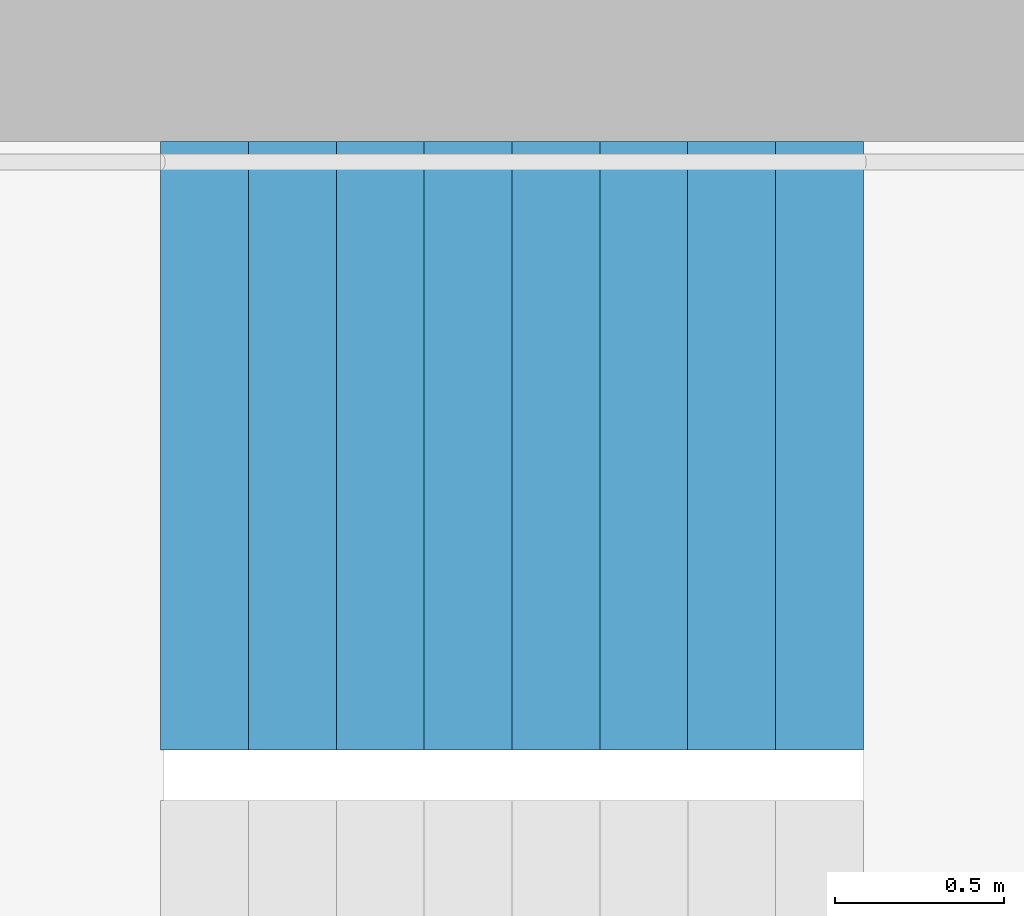
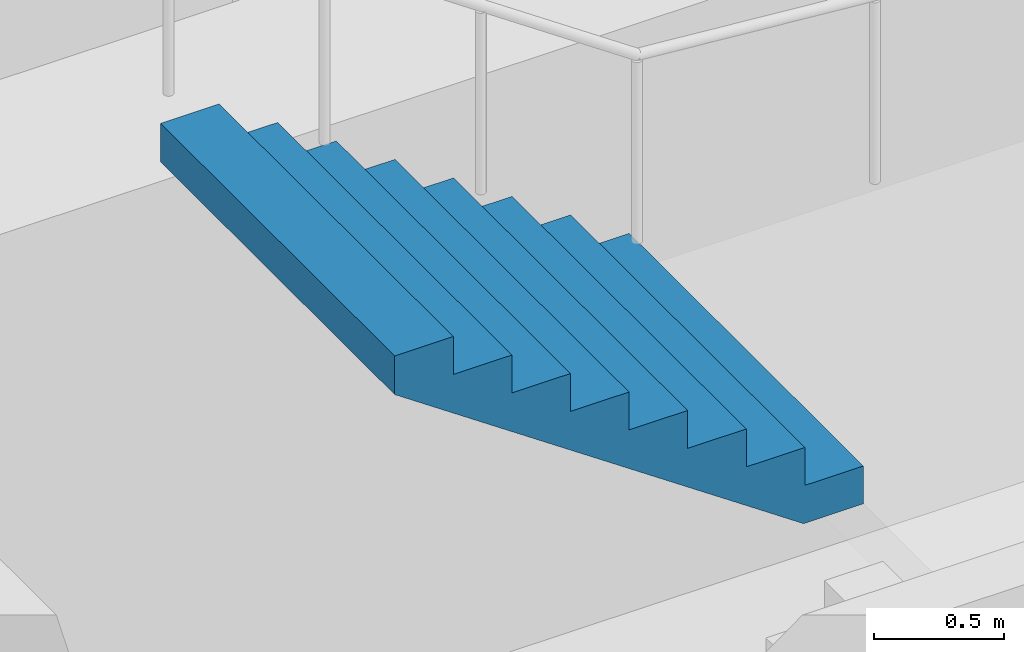
# One storey, part 21 of 26: 1 stair flight, 1 element without a shape of its own.
"""IFC4 building model written with IfcOpenShell, lengths in metres."""

from ifc_helpers import new_model, si_unit, direction, frame, origin, place, context, subcontext, project, spatial, triangles, material, type_object, element, aggregate, save


model = new_model("IFC4")

# Units and contexts
model_context = context("Model", 3, precision=1e-05, world=origin(), true_north=direction((0.0, 1.0)))
body_context = subcontext(model_context, "Body", "Model", "MODEL_VIEW")
ifc_project = project(units=[si_unit("LENGTHUNIT", "METRE"), si_unit("AREAUNIT", "SQUARE_METRE"), si_unit("VOLUMEUNIT", "CUBIC_METRE"), si_unit("PLANEANGLEUNIT", "RADIAN"), si_unit("MASSUNIT", "GRAM", prefix="KILO")], contexts=[model_context])

# Site, building, storey
site_placement = place(None, origin())
site = spatial("IfcSite", under=ifc_project, at=site_placement, CompositionType="ELEMENT")
building_placement = place(site_placement, origin())
building = spatial("IfcBuilding", under=site, at=building_placement, Name="Hakoniwa Tower and Hamabe Station Hall", CompositionType="ELEMENT")
storey_placement = place(building_placement, frame((0.0, 0.0, 169.39990234375)))
storey = spatial("IfcBuildingStorey", under=building, at=storey_placement, Name="L48", CompositionType="ELEMENT", Elevation=169.39990234375)

# Stair, stair flight
ifc_material_1 = material(Name="Concrete C40", Category="concrete")
stair_type = type_object("IfcStairType", Name="ESCAPE STAIR 1800", PredefinedType="HALF_TURN_STAIR", material=ifc_material_1)
stair_placement = place(storey_placement, origin())
stair = element("IfcStair", 1, at=stair_placement, inside=storey, type_object=stair_type, Name="Escape stair ST-1 L48", PredefinedType="HALF_TURN_STAIR")
ifc_material_2 = material(Name="Concrete C40", Category="concrete")
stair_flight_type = type_object("IfcStairFlightType", Name="STAIR FLIGHT 1800", PredefinedType="STRAIGHT", material=ifc_material_2)
stair_flight_placement = place(storey_placement, frame((-22.320068359375, 6.60009765625, 1.60009765625), z_axis=(0.0, 0.0, 1.0), x_axis=(-1.0, 0.0, 0.0)))
stair_flight = element("IfcStairFlight", 2, at=stair_flight_placement, type_object=stair_flight_type, Name="ST-1 flight 2", NumberOfRisers=9, NumberOfTreads=8, PredefinedType="STRAIGHT", RiserHeight=0.177777778, TreadLength=0.26, context=body_context, shape_type="Tessellation", body=[
    triangles([(0.0, 0.89990234375, 0.0), (0.260009765625, 0.89990234375, 0.0), (0.265625, 0.89990234375, 0.0), (0.52001953125, 0.89990234375, 0.174072265625), (0.780029296875, 0.89990234375, 0.351806640625), (1.0400390625, 0.89990234375, 0.529541015625), (1.300048828125, 0.89990234375, 0.707275390625), (1.56005859375, 0.89990234375, 0.885009765625), (1.820068359375, 0.89990234375, 1.062744140625), (2.080078125, 0.89990234375, 1.24072265625), (2.080078125, 0.89990234375, 1.422119140625), (1.820068359375, 0.89990234375, 1.422119140625), (1.820068359375, 0.89990234375, 1.244384765625), (1.56005859375, 0.89990234375, 1.244384765625), (1.56005859375, 0.89990234375, 1.066650390625), (1.300048828125, 0.89990234375, 1.066650390625), (1.300048828125, 0.89990234375, 0.888916015625), (1.0400390625, 0.89990234375, 0.888916015625), (1.0400390625, 0.89990234375, 0.711181640625), (0.780029296875, 0.89990234375, 0.711181640625), (0.780029296875, 0.89990234375, 0.533447265625), (0.52001953125, 0.89990234375, 0.533447265625), (0.52001953125, 0.89990234375, 0.35546875), (0.265625, 0.89990234375, 0.35546875), (0.260009765625, 0.89990234375, 0.35546875), (0.260009765625, 0.89990234375, 0.177734375), (0.0, 0.89990234375, 0.177734375), (0.0, 0.06005859375, 0.0), (0.260009765625, 0.06005859375, 0.0), (0.265625, 0.06005859375, 0.0), (0.52001953125, 0.06005859375, 0.174072265625), (0.780029296875, 0.06005859375, 0.351806640625), (1.0400390625, 0.06005859375, 0.529541015625), (1.300048828125, 0.06005859375, 0.707275390625), (1.56005859375, 0.06005859375, 0.885009765625), (1.820068359375, 0.06005859375, 1.062744140625), (2.080078125, 0.06005859375, 1.24072265625), (2.080078125, 0.06005859375, 1.422119140625), (1.820068359375, 0.06005859375, 1.422119140625), (1.820068359375, 0.06005859375, 1.244384765625), (1.56005859375, 0.06005859375, 1.244384765625), (1.56005859375, 0.06005859375, 1.066650390625), (1.300048828125, 0.06005859375, 1.066650390625), (1.300048828125, 0.06005859375, 0.888916015625), (1.0400390625, 0.06005859375, 0.888916015625), (1.0400390625, 0.06005859375, 0.711181640625), (0.780029296875, 0.06005859375, 0.711181640625), (0.780029296875, 0.06005859375, 0.533447265625), (0.52001953125, 0.06005859375, 0.533447265625), (0.52001953125, 0.06005859375, 0.35546875), (0.265625, 0.06005859375, 0.35546875), (0.260009765625, 0.06005859375, 0.35546875), (0.260009765625, 0.06005859375, 0.177734375), (0.0, 0.06005859375, 0.177734375), (0.0, 0.04296875, 0.0), (0.260009765625, 0.04296875, 0.0), (0.265625, 0.04296875, 0.0), (0.52001953125, 0.04296875, 0.174072265625), (0.780029296875, 0.04296875, 0.351806640625), (1.0400390625, 0.04296875, 0.529541015625), (1.300048828125, 0.04296875, 0.707275390625), (1.56005859375, 0.04296875, 0.885009765625), (1.820068359375, 0.04296875, 1.062744140625), (2.080078125, 0.04296875, 1.24072265625), (2.080078125, 0.04296875, 1.422119140625), (1.820068359375, 0.04296875, 1.422119140625), (1.820068359375, 0.04296875, 1.244384765625), (1.56005859375, 0.04296875, 1.244384765625), (1.56005859375, 0.04296875, 1.066650390625), (1.300048828125, 0.04296875, 1.066650390625), (1.300048828125, 0.04296875, 0.888916015625), (1.0400390625, 0.04296875, 0.888916015625), (1.0400390625, 0.04296875, 0.711181640625), (0.780029296875, 0.04296875, 0.711181640625), (0.780029296875, 0.04296875, 0.533447265625), (0.52001953125, 0.04296875, 0.533447265625), (0.52001953125, 0.04296875, 0.35546875), (0.265625, 0.04296875, 0.35546875), (0.260009765625, 0.04296875, 0.35546875), (0.260009765625, 0.04296875, 0.177734375), (0.0, 0.04296875, 0.177734375), (0.0, 0.025634765625, 0.0), (0.260009765625, 0.025634765625, 0.0), (0.265625, 0.025634765625, 0.0), (0.52001953125, 0.025634765625, 0.174072265625), (0.780029296875, 0.025634765625, 0.351806640625), (1.0400390625, 0.025634765625, 0.529541015625), (1.300048828125, 0.025634765625, 0.707275390625), (1.56005859375, 0.025634765625, 0.885009765625), (1.820068359375, 0.025634765625, 1.062744140625), (2.080078125, 0.025634765625, 1.24072265625), (2.080078125, 0.025634765625, 1.422119140625), (1.820068359375, 0.025634765625, 1.422119140625), (1.820068359375, 0.025634765625, 1.244384765625), (1.56005859375, 0.025634765625, 1.244384765625), (1.56005859375, 0.025634765625, 1.066650390625), (1.300048828125, 0.025634765625, 1.066650390625), (1.300048828125, 0.025634765625, 0.888916015625), (1.0400390625, 0.025634765625, 0.888916015625), (1.0400390625, 0.025634765625, 0.711181640625), (0.780029296875, 0.025634765625, 0.711181640625), (0.780029296875, 0.025634765625, 0.533447265625), (0.52001953125, 0.025634765625, 0.533447265625), (0.52001953125, 0.025634765625, 0.35546875), (0.265625, 0.025634765625, 0.35546875), (0.260009765625, 0.025634765625, 0.35546875), (0.260009765625, 0.025634765625, 0.177734375), (0.0, 0.025634765625, 0.177734375), (0.0, 0.008544921875, 0.0), (0.260009765625, 0.008544921875, 0.0), (0.265625, 0.008544921875, 0.0), (0.52001953125, 0.008544921875, 0.174072265625), (0.780029296875, 0.008544921875, 0.351806640625), (1.0400390625, 0.008544921875, 0.529541015625), (1.300048828125, 0.008544921875, 0.707275390625), (1.56005859375, 0.008544921875, 0.885009765625), (1.820068359375, 0.008544921875, 1.062744140625), (2.080078125, 0.008544921875, 1.24072265625), (2.080078125, 0.008544921875, 1.422119140625), (1.820068359375, 0.008544921875, 1.422119140625), (1.820068359375, 0.008544921875, 1.244384765625), (1.56005859375, 0.008544921875, 1.244384765625), (1.56005859375, 0.008544921875, 1.066650390625), (1.300048828125, 0.008544921875, 1.066650390625), (1.300048828125, 0.008544921875, 0.888916015625), (1.0400390625, 0.008544921875, 0.888916015625), (1.0400390625, 0.008544921875, 0.711181640625), (0.780029296875, 0.008544921875, 0.711181640625), (0.780029296875, 0.008544921875, 0.533447265625), (0.52001953125, 0.008544921875, 0.533447265625), (0.52001953125, 0.008544921875, 0.35546875), (0.265625, 0.008544921875, 0.35546875), (0.260009765625, 0.008544921875, 0.35546875), (0.260009765625, 0.008544921875, 0.177734375), (0.0, 0.008544921875, 0.177734375), (0.0, -0.008544921875, 0.0), (0.260009765625, -0.008544921875, 0.0), (0.265625, -0.008544921875, 0.0), (0.52001953125, -0.008544921875, 0.174072265625), (0.780029296875, -0.008544921875, 0.351806640625), (1.0400390625, -0.008544921875, 0.529541015625), (1.300048828125, -0.008544921875, 0.707275390625), (1.56005859375, -0.008544921875, 0.885009765625), (1.820068359375, -0.008544921875, 1.062744140625), (2.080078125, -0.008544921875, 1.24072265625), (2.080078125, -0.008544921875, 1.422119140625), (1.820068359375, -0.008544921875, 1.422119140625), (1.820068359375, -0.008544921875, 1.244384765625), (1.56005859375, -0.008544921875, 1.244384765625), (1.56005859375, -0.008544921875, 1.066650390625), (1.300048828125, -0.008544921875, 1.066650390625), (1.300048828125, -0.008544921875, 0.888916015625), (1.0400390625, -0.008544921875, 0.888916015625), (1.0400390625, -0.008544921875, 0.711181640625), (0.780029296875, -0.008544921875, 0.711181640625), (0.780029296875, -0.008544921875, 0.533447265625), (0.52001953125, -0.008544921875, 0.533447265625), (0.52001953125, -0.008544921875, 0.35546875), (0.265625, -0.008544921875, 0.35546875), (0.260009765625, -0.008544921875, 0.35546875), (0.260009765625, -0.008544921875, 0.177734375), (0.0, -0.008544921875, 0.177734375), (0.0, -0.025634765625, 0.0), (0.260009765625, -0.025634765625, 0.0), (0.265625, -0.025634765625, 0.0), (0.52001953125, -0.025634765625, 0.174072265625), (0.780029296875, -0.025634765625, 0.351806640625), (1.0400390625, -0.025634765625, 0.529541015625), (1.300048828125, -0.025634765625, 0.707275390625), (1.56005859375, -0.025634765625, 0.885009765625), (1.820068359375, -0.025634765625, 1.062744140625), (2.080078125, -0.025634765625, 1.24072265625), (2.080078125, -0.025634765625, 1.422119140625), (1.820068359375, -0.025634765625, 1.422119140625), (1.820068359375, -0.025634765625, 1.244384765625), (1.56005859375, -0.025634765625, 1.244384765625), (1.56005859375, -0.025634765625, 1.066650390625), (1.300048828125, -0.025634765625, 1.066650390625), (1.300048828125, -0.025634765625, 0.888916015625), (1.0400390625, -0.025634765625, 0.888916015625), (1.0400390625, -0.025634765625, 0.711181640625), (0.780029296875, -0.025634765625, 0.711181640625), (0.780029296875, -0.025634765625, 0.533447265625), (0.52001953125, -0.025634765625, 0.533447265625), (0.52001953125, -0.025634765625, 0.35546875), (0.265625, -0.025634765625, 0.35546875), (0.260009765625, -0.025634765625, 0.35546875), (0.260009765625, -0.025634765625, 0.177734375), (0.0, -0.025634765625, 0.177734375), (0.0, -0.04296875, 0.0), (0.260009765625, -0.04296875, 0.0), (0.265625, -0.04296875, 0.0), (0.52001953125, -0.04296875, 0.174072265625), (0.780029296875, -0.04296875, 0.351806640625), (1.0400390625, -0.04296875, 0.529541015625), (1.300048828125, -0.04296875, 0.707275390625), (1.56005859375, -0.04296875, 0.885009765625), (1.820068359375, -0.04296875, 1.062744140625), (2.080078125, -0.04296875, 1.24072265625), (2.080078125, -0.04296875, 1.422119140625), (1.820068359375, -0.04296875, 1.422119140625), (1.820068359375, -0.04296875, 1.244384765625), (1.56005859375, -0.04296875, 1.244384765625), (1.56005859375, -0.04296875, 1.066650390625), (1.300048828125, -0.04296875, 1.066650390625), (1.300048828125, -0.04296875, 0.888916015625), (1.0400390625, -0.04296875, 0.888916015625), (1.0400390625, -0.04296875, 0.711181640625), (0.780029296875, -0.04296875, 0.711181640625), (0.780029296875, -0.04296875, 0.533447265625), (0.52001953125, -0.04296875, 0.533447265625), (0.52001953125, -0.04296875, 0.35546875), (0.265625, -0.04296875, 0.35546875), (0.260009765625, -0.04296875, 0.35546875), (0.260009765625, -0.04296875, 0.177734375), (0.0, -0.04296875, 0.177734375), (0.0, -0.06005859375, 0.0), (0.260009765625, -0.06005859375, 0.0), (0.265625, -0.06005859375, 0.0), (0.52001953125, -0.06005859375, 0.174072265625), (0.780029296875, -0.06005859375, 0.351806640625), (1.0400390625, -0.06005859375, 0.529541015625), (1.300048828125, -0.06005859375, 0.707275390625), (1.56005859375, -0.06005859375, 0.885009765625), (1.820068359375, -0.06005859375, 1.062744140625), (2.080078125, -0.06005859375, 1.24072265625), (2.080078125, -0.06005859375, 1.422119140625), (1.820068359375, -0.06005859375, 1.422119140625), (1.820068359375, -0.06005859375, 1.244384765625), (1.56005859375, -0.06005859375, 1.244384765625), (1.56005859375, -0.06005859375, 1.066650390625), (1.300048828125, -0.06005859375, 1.066650390625), (1.300048828125, -0.06005859375, 0.888916015625), (1.0400390625, -0.06005859375, 0.888916015625), (1.0400390625, -0.06005859375, 0.711181640625), (0.780029296875, -0.06005859375, 0.711181640625), (0.780029296875, -0.06005859375, 0.533447265625), (0.52001953125, -0.06005859375, 0.533447265625), (0.52001953125, -0.06005859375, 0.35546875), (0.265625, -0.06005859375, 0.35546875), (0.260009765625, -0.06005859375, 0.35546875), (0.260009765625, -0.06005859375, 0.177734375), (0.0, -0.06005859375, 0.177734375), (0.0, -0.89990234375, 0.0), (0.260009765625, -0.89990234375, 0.0), (0.265625, -0.89990234375, 0.0), (0.52001953125, -0.89990234375, 0.174072265625), (0.780029296875, -0.89990234375, 0.351806640625), (1.0400390625, -0.89990234375, 0.529541015625), (1.300048828125, -0.89990234375, 0.707275390625), (1.56005859375, -0.89990234375, 0.885009765625), (1.820068359375, -0.89990234375, 1.062744140625), (2.080078125, -0.89990234375, 1.24072265625), (2.080078125, -0.89990234375, 1.422119140625), (1.820068359375, -0.89990234375, 1.422119140625), (1.820068359375, -0.89990234375, 1.244384765625), (1.56005859375, -0.89990234375, 1.244384765625), (1.56005859375, -0.89990234375, 1.066650390625), (1.300048828125, -0.89990234375, 1.066650390625), (1.300048828125, -0.89990234375, 0.888916015625), (1.0400390625, -0.89990234375, 0.888916015625), (1.0400390625, -0.89990234375, 0.711181640625), (0.780029296875, -0.89990234375, 0.711181640625), (0.780029296875, -0.89990234375, 0.533447265625), (0.52001953125, -0.89990234375, 0.533447265625), (0.52001953125, -0.89990234375, 0.35546875), (0.265625, -0.89990234375, 0.35546875), (0.260009765625, -0.89990234375, 0.35546875), (0.260009765625, -0.89990234375, 0.177734375), (0.0, -0.89990234375, 0.177734375)], [[2, 27, 26], [245, 269, 270], [2, 1, 27], [245, 270, 244], [3, 25, 24], [246, 267, 268], [3, 26, 25], [246, 268, 269], [3, 2, 26], [246, 269, 245], [4, 24, 23], [247, 266, 267], [4, 3, 24], [247, 267, 246], [5, 22, 21], [248, 264, 265], [5, 23, 22], [248, 265, 266], [5, 4, 23], [248, 266, 247], [6, 20, 19], [249, 262, 263], [6, 21, 20], [249, 263, 264], [6, 5, 21], [249, 264, 248], [7, 18, 17], [250, 260, 261], [7, 19, 18], [250, 261, 262], [7, 6, 19], [250, 262, 249], [8, 16, 15], [251, 258, 259], [8, 17, 16], [251, 259, 260], [8, 7, 17], [251, 260, 250], [9, 14, 13], [252, 256, 257], [9, 15, 14], [252, 257, 258], [9, 8, 15], [252, 258, 251], [10, 12, 11], [253, 254, 255], [10, 13, 12], [253, 255, 256], [10, 9, 13], [253, 256, 252], [1, 2, 29], [1, 29, 28], [28, 29, 56], [28, 56, 55], [55, 56, 83], [55, 83, 82], [82, 83, 110], [82, 110, 109], [109, 110, 137], [109, 137, 136], [136, 137, 164], [136, 164, 163], [163, 164, 191], [163, 191, 190], [190, 191, 218], [190, 218, 217], [217, 218, 245], [217, 245, 244], [2, 3, 30], [2, 30, 29], [29, 30, 57], [29, 57, 56], [56, 57, 84], [56, 84, 83], [83, 84, 111], [83, 111, 110], [110, 111, 138], [110, 138, 137], [137, 138, 165], [137, 165, 164], [164, 165, 192], [164, 192, 191], [191, 192, 219], [191, 219, 218], [218, 219, 246], [218, 246, 245], [3, 4, 31], [3, 31, 30], [30, 31, 58], [30, 58, 57], [57, 58, 85], [57, 85, 84], [84, 85, 112], [84, 112, 111], [111, 112, 139], [111, 139, 138], [138, 139, 166], [138, 166, 165], [165, 166, 193], [165, 193, 192], [192, 193, 220], [192, 220, 219], [219, 220, 247], [219, 247, 246], [4, 5, 32], [4, 32, 31], [31, 32, 59], [31, 59, 58], [58, 59, 86], [58, 86, 85], [85, 86, 113], [85, 113, 112], [112, 113, 140], [112, 140, 139], [139, 140, 167], [139, 167, 166], [166, 167, 194], [166, 194, 193], [193, 194, 221], [193, 221, 220], [220, 221, 248], [220, 248, 247], [5, 6, 33], [5, 33, 32], [32, 33, 60], [32, 60, 59], [59, 60, 87], [59, 87, 86], [86, 87, 114], [86, 114, 113], [113, 114, 141], [113, 141, 140], [140, 141, 168], [140, 168, 167], [167, 168, 195], [167, 195, 194], [194, 195, 222], [194, 222, 221], [221, 222, 249], [221, 249, 248], [6, 7, 34], [6, 34, 33], [33, 34, 61], [33, 61, 60], [60, 61, 88], [60, 88, 87], [87, 88, 115], [87, 115, 114], [114, 115, 142], [114, 142, 141], [141, 142, 169], [141, 169, 168], [168, 169, 196], [168, 196, 195], [195, 196, 223], [195, 223, 222], [222, 223, 250], [222, 250, 249], [7, 8, 35], [7, 35, 34], [34, 35, 62], [34, 62, 61], [61, 62, 89], [61, 89, 88], [88, 89, 116], [88, 116, 115], [115, 116, 143], [115, 143, 142], [142, 143, 170], [142, 170, 169], [169, 170, 197], [169, 197, 196], [196, 197, 224], [196, 224, 223], [223, 224, 251], [223, 251, 250], [8, 9, 36], [8, 36, 35], [35, 36, 63], [35, 63, 62], [62, 63, 90], [62, 90, 89], [89, 90, 117], [89, 117, 116], [116, 117, 144], [116, 144, 143], [143, 144, 171], [143, 171, 170], [170, 171, 198], [170, 198, 197], [197, 198, 225], [197, 225, 224], [224, 225, 252], [224, 252, 251], [9, 10, 37], [9, 37, 36], [36, 37, 64], [36, 64, 63], [63, 64, 91], [63, 91, 90], [90, 91, 118], [90, 118, 117], [117, 118, 145], [117, 145, 144], [144, 145, 172], [144, 172, 171], [171, 172, 199], [171, 199, 198], [198, 199, 226], [198, 226, 225], [225, 226, 253], [225, 253, 252], [10, 11, 38], [10, 38, 37], [37, 38, 65], [37, 65, 64], [64, 65, 92], [64, 92, 91], [91, 92, 119], [91, 119, 118], [118, 119, 146], [118, 146, 145], [145, 146, 173], [145, 173, 172], [172, 173, 200], [172, 200, 199], [199, 200, 227], [199, 227, 226], [226, 227, 254], [226, 254, 253], [11, 12, 39], [11, 39, 38], [38, 39, 66], [38, 66, 65], [65, 66, 93], [65, 93, 92], [92, 93, 120], [92, 120, 119], [119, 120, 147], [119, 147, 146], [146, 147, 174], [146, 174, 173], [173, 174, 201], [173, 201, 200], [200, 201, 228], [200, 228, 227], [227, 228, 255], [227, 255, 254], [12, 13, 40], [12, 40, 39], [39, 40, 67], [39, 67, 66], [66, 67, 94], [66, 94, 93], [93, 94, 121], [93, 121, 120], [120, 121, 148], [120, 148, 147], [147, 148, 175], [147, 175, 174], [174, 175, 202], [174, 202, 201], [201, 202, 229], [201, 229, 228], [228, 229, 256], [228, 256, 255], [13, 14, 41], [13, 41, 40], [40, 41, 68], [40, 68, 67], [67, 68, 95], [67, 95, 94], [94, 95, 122], [94, 122, 121], [121, 122, 149], [121, 149, 148], [148, 149, 176], [148, 176, 175], [175, 176, 203], [175, 203, 202], [202, 203, 230], [202, 230, 229], [229, 230, 257], [229, 257, 256], [14, 15, 42], [14, 42, 41], [41, 42, 69], [41, 69, 68], [68, 69, 96], [68, 96, 95], [95, 96, 123], [95, 123, 122], [122, 123, 150], [122, 150, 149], [149, 150, 177], [149, 177, 176], [176, 177, 204], [176, 204, 203], [203, 204, 231], [203, 231, 230], [230, 231, 258], [230, 258, 257], [15, 16, 43], [15, 43, 42], [42, 43, 70], [42, 70, 69], [69, 70, 97], [69, 97, 96], [96, 97, 124], [96, 124, 123], [123, 124, 151], [123, 151, 150], [150, 151, 178], [150, 178, 177], [177, 178, 205], [177, 205, 204], [204, 205, 232], [204, 232, 231], [231, 232, 259], [231, 259, 258], [16, 17, 44], [16, 44, 43], [43, 44, 71], [43, 71, 70], [70, 71, 98], [70, 98, 97], [97, 98, 125], [97, 125, 124], [124, 125, 152], [124, 152, 151], [151, 152, 179], [151, 179, 178], [178, 179, 206], [178, 206, 205], [205, 206, 233], [205, 233, 232], [232, 233, 260], [232, 260, 259], [17, 18, 45], [17, 45, 44], [44, 45, 72], [44, 72, 71], [71, 72, 99], [71, 99, 98], [98, 99, 126], [98, 126, 125], [125, 126, 153], [125, 153, 152], [152, 153, 180], [152, 180, 179], [179, 180, 207], [179, 207, 206], [206, 207, 234], [206, 234, 233], [233, 234, 261], [233, 261, 260], [18, 19, 46], [18, 46, 45], [45, 46, 73], [45, 73, 72], [72, 73, 100], [72, 100, 99], [99, 100, 127], [99, 127, 126], [126, 127, 154], [126, 154, 153], [153, 154, 181], [153, 181, 180], [180, 181, 208], [180, 208, 207], [207, 208, 235], [207, 235, 234], [234, 235, 262], [234, 262, 261], [19, 20, 47], [19, 47, 46], [46, 47, 74], [46, 74, 73], [73, 74, 101], [73, 101, 100], [100, 101, 128], [100, 128, 127], [127, 128, 155], [127, 155, 154], [154, 155, 182], [154, 182, 181], [181, 182, 209], [181, 209, 208], [208, 209, 236], [208, 236, 235], [235, 236, 263], [235, 263, 262], [20, 21, 48], [20, 48, 47], [47, 48, 75], [47, 75, 74], [74, 75, 102], [74, 102, 101], [101, 102, 129], [101, 129, 128], [128, 129, 156], [128, 156, 155], [155, 156, 183], [155, 183, 182], [182, 183, 210], [182, 210, 209], [209, 210, 237], [209, 237, 236], [236, 237, 264], [236, 264, 263], [21, 22, 49], [21, 49, 48], [48, 49, 76], [48, 76, 75], [75, 76, 103], [75, 103, 102], [102, 103, 130], [102, 130, 129], [129, 130, 157], [129, 157, 156], [156, 157, 184], [156, 184, 183], [183, 184, 211], [183, 211, 210], [210, 211, 238], [210, 238, 237], [237, 238, 265], [237, 265, 264], [22, 23, 50], [22, 50, 49], [49, 50, 77], [49, 77, 76], [76, 77, 104], [76, 104, 103], [103, 104, 131], [103, 131, 130], [130, 131, 158], [130, 158, 157], [157, 158, 185], [157, 185, 184], [184, 185, 212], [184, 212, 211], [211, 212, 239], [211, 239, 238], [238, 239, 266], [238, 266, 265], [23, 24, 51], [23, 51, 50], [50, 51, 78], [50, 78, 77], [77, 78, 105], [77, 105, 104], [104, 105, 132], [104, 132, 131], [131, 132, 159], [131, 159, 158], [158, 159, 186], [158, 186, 185], [185, 186, 213], [185, 213, 212], [212, 213, 240], [212, 240, 239], [239, 240, 267], [239, 267, 266], [24, 25, 52], [24, 52, 51], [51, 52, 79], [51, 79, 78], [78, 79, 106], [78, 106, 105], [105, 106, 133], [105, 133, 132], [132, 133, 160], [132, 160, 159], [159, 160, 187], [159, 187, 186], [186, 187, 214], [186, 214, 213], [213, 214, 241], [213, 241, 240], [240, 241, 268], [240, 268, 267], [25, 26, 53], [25, 53, 52], [52, 53, 80], [52, 80, 79], [79, 80, 107], [79, 107, 106], [106, 107, 134], [106, 134, 133], [133, 134, 161], [133, 161, 160], [160, 161, 188], [160, 188, 187], [187, 188, 215], [187, 215, 214], [214, 215, 242], [214, 242, 241], [241, 242, 269], [241, 269, 268], [26, 27, 54], [26, 54, 53], [53, 54, 81], [53, 81, 80], [80, 81, 108], [80, 108, 107], [107, 108, 135], [107, 135, 134], [134, 135, 162], [134, 162, 161], [161, 162, 189], [161, 189, 188], [188, 189, 216], [188, 216, 215], [215, 216, 243], [215, 243, 242], [242, 243, 270], [242, 270, 269], [27, 1, 28], [27, 28, 54], [54, 28, 55], [54, 55, 81], [81, 55, 82], [81, 82, 108], [108, 82, 109], [108, 109, 135], [135, 109, 136], [135, 136, 162], [162, 136, 163], [162, 163, 189], [189, 163, 190], [189, 190, 216], [216, 190, 217], [216, 217, 243], [243, 217, 244], [243, 244, 270]], closed=True),
])
aggregate(stair, [stair_flight])

save(model, "model.ifc")
